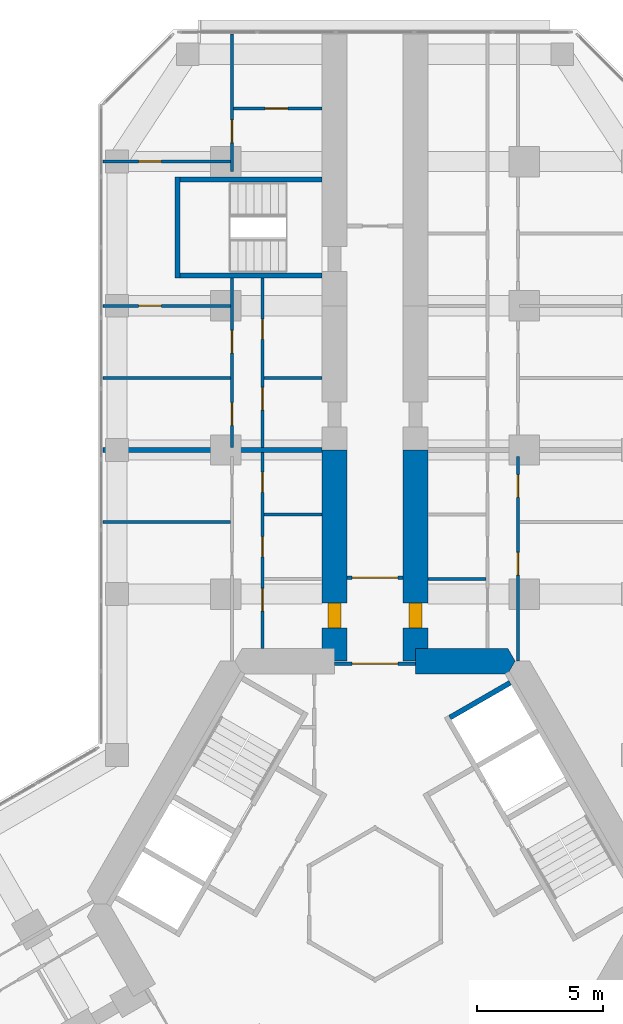
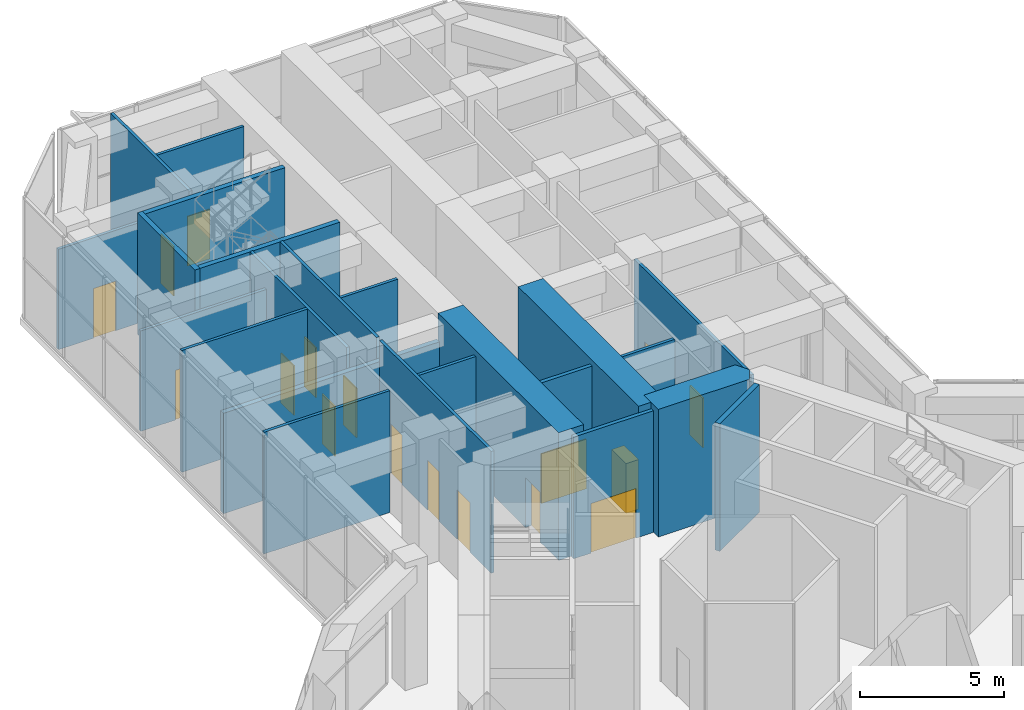
# One storey, part 19 of 23: 23 walls, 17 doors, 17 openings.
"""IFC4 building model written with IfcOpenShell, lengths in metres."""

from ifc_helpers import new_model, si_unit, direction, frame, frame_2d, origin, place, context, subcontext, project, spatial, polyline, rectangle, outline, extrude, material, layer, layer_set, type_object, element, fill, save


model = new_model("IFC4")

# Units and contexts
model_context = context("Model", 3, precision=1e-05, world=origin(), true_north=direction((0.0, 1.0)))
body_context = subcontext(model_context, "Body", "Model", "MODEL_VIEW")
ifc_project = project(units=[si_unit("LENGTHUNIT", "METRE"), si_unit("AREAUNIT", "SQUARE_METRE"), si_unit("VOLUMEUNIT", "CUBIC_METRE"), si_unit("PLANEANGLEUNIT", "RADIAN"), si_unit("MASSUNIT", "GRAM", prefix="KILO")], contexts=[model_context])

# Site, building, storey
site_placement = place(None, origin())
site = spatial("IfcSite", under=ifc_project, at=site_placement, CompositionType="ELEMENT")
building_placement = place(site_placement, origin())
building = spatial("IfcBuilding", under=site, at=building_placement, Name="Kosmar Iwan School Tower", CompositionType="ELEMENT")
storey_placement = place(building_placement, frame((0.0, 0.0, 75.39990234375)))
storey = spatial("IfcBuildingStorey", under=building, at=storey_placement, Name="L18", CompositionType="ELEMENT", Elevation=75.39990234375)

# Wall
ifc_material_1 = material(Name="Concrete C50/60", Category="concrete")
ifc_layer_1 = layer(ifc_material_1, 1.0)
ifc_layer_set_1 = layer_set([ifc_layer_1], Name="Core wall 1000")
wall_type_1 = type_object("IfcWallType", Name="Core wall 1000", PredefinedType="SHEAR", material=ifc_layer_set_1)
wall_1_placement = place(storey_placement, origin())
element("IfcWall", 1, at=wall_1_placement, inside=storey, type_object=wall_type_1, Name="Core wall F090a", PredefinedType="SHEAR", context=body_context, shape_type="SweptSolid", body=[
    extrude(outline(polyline([(1.60009765625, 9.10009765625), (5.25390625, 9.10009765625), (5.54248046875, 9.60009765625), (5.25390625, 10.10009765625), (1.60009765625, 10.10009765625), (1.60009765625, 9.10009765625)])), origin(), (0.0, 0.0, 1.0), 5.400146484375),
])

# Wall, opening, door
ifc_material_2 = material(Name="Concrete C50/60", Category="concrete")
ifc_layer_2 = layer(ifc_material_2, 1.0)
ifc_layer_set_2 = layer_set([ifc_layer_2], Name="Corridor buttress wall 1000")
wall_type_2 = type_object("IfcWallType", Name="Corridor buttress wall 1000", PredefinedType="SHEAR", material=ifc_layer_set_2)
wall_2_placement = place(storey_placement, frame((-1.60009765625, 9.60009765625, 0.0), z_axis=(0.0, 0.0, 1.0), x_axis=(0.0, 1.0, 0.0)))
wall_2 = element("IfcWall", 2, at=wall_2_placement, inside=storey, type_object=wall_type_2, Name="Corridor wall AL", PredefinedType="SHEAR", context=body_context, shape_type="SweptSolid", body=[
    extrude(rectangle(XDim=8.349853515625, YDim=1.0, at=frame_2d((4.1748046875, 0.0))), origin(), (0.0, 0.0, 1.0), 5.400146484375),
])
opening_1_placement = place(wall_2_placement, frame((1.300048828125, 0.0, 0.0)))
opening_1 = element("IfcOpeningElement", 3, at=opening_1_placement, cuts=wall_2, Name="Opening D1", PredefinedType="OPENING", context=body_context, shape_type="SweptSolid", body=[
    extrude(rectangle(XDim=1.0, YDim=2.10009765625, at=frame_2d((0.5, 1.050048828125))), frame((0.0, 0.511962890625, 0.0), z_axis=(0.0, -1.0, 0.0), x_axis=(1.0, 0.0, 0.0)), (0.0, 0.0, 1.0), 1.02392578125),
])
ifc_material_3 = material(Name="Timber fire door in steel frame", Category="steel")
door_type_1 = type_object("IfcDoorType", Name="Flat entrance door 1000x2100", OperationType="SINGLE_SWING_LEFT", PredefinedType="DOOR", material=ifc_material_3)
door_1_placement = place(opening_1_placement, origin())
door_1 = element("IfcDoor", 4, at=door_1_placement, inside=storey, type_object=door_type_1, Name="Flat L18-AL1 entrance door", OperationType="SINGLE_SWING_RIGHT", OverallHeight=2.10009765625, OverallWidth=1.0, PredefinedType="DOOR", context=body_context, shape_type="SweptSolid", body=[
    extrude(rectangle(XDim=1.0, YDim=2.10009765625, at=frame_2d((0.5, 1.050048828125))), frame((0.0, 0.25, 0.0), z_axis=(0.0, -1.0, 0.0), x_axis=(1.0, 0.0, 0.0)), (0.0, 0.0, 1.0), 0.5),
])
fill(opening_1, door_1)

wall_3_placement = place(storey_placement, frame((1.60009765625, 9.60009765625, 0.0), z_axis=(0.0, 0.0, 1.0), x_axis=(0.0, 1.0, 0.0)))
wall_3 = element("IfcWall", 5, at=wall_3_placement, inside=storey, type_object=wall_type_2, Name="Corridor wall AR", PredefinedType="SHEAR", context=body_context, shape_type="SweptSolid", body=[
    extrude(rectangle(XDim=8.349853515625, YDim=1.0, at=frame_2d((4.1748046875, 0.0))), origin(), (0.0, 0.0, 1.0), 5.400146484375),
])
opening_2_placement = place(wall_3_placement, frame((1.300048828125, 0.0, 0.0)))
opening_2 = element("IfcOpeningElement", 6, at=opening_2_placement, cuts=wall_3, Name="Opening D1", PredefinedType="OPENING", context=body_context, shape_type="SweptSolid", body=[
    extrude(rectangle(XDim=1.0, YDim=2.10009765625, at=frame_2d((0.5, 1.050048828125))), frame((0.0, 0.511962890625, 0.0), z_axis=(0.0, -1.0, 0.0), x_axis=(1.0, 0.0, 0.0)), (0.0, 0.0, 1.0), 1.02392578125),
])
door_2_placement = place(opening_2_placement, origin())
door_2 = element("IfcDoor", 7, at=door_2_placement, inside=storey, type_object=door_type_1, Name="Flat L18-AR1 entrance door", OperationType="SINGLE_SWING_RIGHT", OverallHeight=2.10009765625, OverallWidth=1.0, PredefinedType="DOOR", context=body_context, shape_type="SweptSolid", body=[
    extrude(rectangle(XDim=1.0, YDim=2.10009765625, at=frame_2d((0.5, 1.050048828125))), frame((0.0, 0.25, 0.0), z_axis=(0.0, -1.0, 0.0), x_axis=(1.0, 0.0, 0.0)), (0.0, 0.0, 1.0), 0.5),
])
fill(opening_2, door_2)

ifc_material_4 = material(Name="Gypsum board on steel studs, fire-rated", Category="steel")
ifc_layer_3 = layer(ifc_material_4, 0.14990234375)
ifc_layer_set_3 = layer_set([ifc_layer_3], Name="Corridor end wall 150")
wall_type_3 = type_object("IfcWallType", Name="Corridor end wall 150", PredefinedType="PARTITIONING", material=ifc_layer_set_3)
wall_4_placement = place(storey_placement, frame((1.10009765625, 12.89990234375, 0.0), z_axis=(0.0, 0.0, 1.0), x_axis=(-1.0, 0.0, 0.0)))
wall_4 = element("IfcWall", 8, at=wall_4_placement, inside=storey, type_object=wall_type_3, Name="Partition L18-A-HW", PredefinedType="PARTITIONING", context=body_context, shape_type="SweptSolid", body=[
    extrude(rectangle(XDim=2.2001953125, YDim=0.14990234375, at=frame_2d((1.10009765625, 0.0))), origin(), (0.0, 0.0, 1.0), 5.150146484375),
])
opening_3_placement = place(wall_4_placement, frame((0.199951171875, 0.0, 0.0)))
opening_3 = element("IfcOpeningElement", 9, at=opening_3_placement, cuts=wall_4, Name="Opening D9", PredefinedType="OPENING", context=body_context, shape_type="SweptSolid", body=[
    extrude(rectangle(XDim=1.800048828125, YDim=2.10009765625, at=frame_2d((0.89990234375, 1.050048828125))), frame((0.0, 0.0869140625, 0.0), z_axis=(0.0, -1.0, 0.0), x_axis=(1.0, 0.0, 0.0)), (0.0, 0.0, 1.0), 0.173828125),
])
ifc_material_5 = material(Name="Steel framed glazed smoke door", Category="steel")
door_type_2 = type_object("IfcDoorType", Name="Corridor smoke door pair 1800x2100", OperationType="DOUBLE_DOOR_DOUBLE_SWING", PredefinedType="DOOR", material=ifc_material_5)
door_3_placement = place(opening_3_placement, origin())
door_3 = element("IfcDoor", 10, at=door_3_placement, inside=storey, type_object=door_type_2, Name="Entrance vestibule smoke doors L18-A", OperationType="DOUBLE_DOOR_DOUBLE_SWING", OverallHeight=2.10009765625, OverallWidth=1.800048828125, PredefinedType="DOOR", context=body_context, shape_type="SweptSolid", body=[
    extrude(rectangle(XDim=1.800048828125, YDim=2.10009765625, at=frame_2d((0.89990234375, 1.050048828125))), frame((0.0, 0.02490234375, 0.0), z_axis=(0.0, -1.0, 0.0), x_axis=(1.0, 0.0, 0.0)), (0.0, 0.0, 1.0), 0.050048828125),
])
fill(opening_3, door_3)

ifc_material_6 = material(Name="Steel framed glazed screen", Category="steel")
ifc_layer_4 = layer(ifc_material_6, 0.14990234375)
ifc_layer_set_4 = layer_set([ifc_layer_4], Name="Corridor screen wall 150")
wall_type_4 = type_object("IfcWallType", Name="Corridor screen wall 150", PredefinedType="PARTITIONING", material=ifc_layer_set_4)
wall_5_placement = place(storey_placement, frame((1.60009765625, 9.5, 0.0), z_axis=(0.0, 0.0, 1.0), x_axis=(-1.0, 0.0, 0.0)))
wall_5 = element("IfcWall", 11, at=wall_5_placement, inside=storey, type_object=wall_type_4, Name="Corridor screen A L18", PredefinedType="PARTITIONING", context=body_context, shape_type="SweptSolid", body=[
    extrude(rectangle(XDim=3.2001953125, YDim=0.14990234375, at=frame_2d((1.60009765625, 0.0))), origin(), (0.0, 0.0, 1.0), 5.150146484375),
])
opening_4_placement = place(wall_5_placement, frame((0.699951171875, 0.0, 0.0)))
opening_4 = element("IfcOpeningElement", 12, at=opening_4_placement, cuts=wall_5, Name="Opening D9", PredefinedType="OPENING", context=body_context, shape_type="SweptSolid", body=[
    extrude(rectangle(XDim=1.800048828125, YDim=2.10009765625, at=frame_2d((0.89990234375, 1.050048828125))), frame((0.0, 0.0869140625, 0.0), z_axis=(0.0, -1.0, 0.0), x_axis=(1.0, 0.0, 0.0)), (0.0, 0.0, 1.0), 0.173828125),
])
door_4_placement = place(opening_4_placement, origin())
door_4 = element("IfcDoor", 13, at=door_4_placement, inside=storey, type_object=door_type_2, Name="Corridor doors A L18", OperationType="DOUBLE_DOOR_DOUBLE_SWING", OverallHeight=2.10009765625, OverallWidth=1.800048828125, PredefinedType="DOOR", context=body_context, shape_type="SweptSolid", body=[
    extrude(rectangle(XDim=1.800048828125, YDim=2.10009765625, at=frame_2d((0.89990234375, 1.050048828125))), frame((0.0, 0.02490234375, 0.0), z_axis=(0.0, -1.0, 0.0), x_axis=(1.0, 0.0, 0.0)), (0.0, 0.0, 1.0), 0.050048828125),
])
fill(opening_4, door_4)

# Wall, openings, doors
ifc_material_7 = material(Name="Gypsum board on steel studs", Category="steel")
ifc_layer_5 = layer(ifc_material_7, 0.1201171875)
ifc_layer_set_5 = layer_set([ifc_layer_5], Name="Dwelling partition 120")
wall_type_5 = type_object("IfcWallType", Name="Dwelling partition 120", PredefinedType="PARTITIONING", material=ifc_layer_set_5)
wall_6_placement = place(storey_placement, frame((-4.449951171875, 10.10009765625, 0.0), z_axis=(0.0, 0.0, 1.0), x_axis=(0.0, 1.0, 0.0)))
wall_6 = element("IfcWall", 14, at=wall_6_placement, inside=storey, type_object=wall_type_5, Name="Partition L18-AL1-W1", PredefinedType="PARTITIONING", context=body_context, shape_type="SweptSolid", body=[
    extrude(rectangle(XDim=7.75, YDim=0.1201171875, at=frame_2d((3.875, 0.0))), origin(), (0.0, 0.0, 1.0), 5.150146484375),
])
opening_5_placement = place(wall_6_placement, frame((1.47509765625, 0.0, 0.0)))
opening_5 = element("IfcOpeningElement", 15, at=opening_5_placement, cuts=wall_6, Name="Opening D2", PredefinedType="OPENING", context=body_context, shape_type="SweptSolid", body=[
    extrude(rectangle(XDim=0.89990234375, YDim=2.10009765625, at=frame_2d((0.449951171875, 1.050048828125))), frame((0.0, 0.072021484375, 0.0), z_axis=(0.0, -1.0, 0.0), x_axis=(1.0, 0.0, 0.0)), (0.0, 0.0, 1.0), 0.14404296875),
])
opening_6_placement = place(wall_6_placement, frame((3.625, 0.0, 0.0)))
opening_6 = element("IfcOpeningElement", 16, at=opening_6_placement, cuts=wall_6, Name="Opening D3", PredefinedType="OPENING", context=body_context, shape_type="SweptSolid", body=[
    extrude(rectangle(XDim=0.800048828125, YDim=2.10009765625, at=frame_2d((0.39990234375, 1.050048828125))), frame((0.0, 0.072021484375, 0.0), z_axis=(0.0, -1.0, 0.0), x_axis=(1.0, 0.0, 0.0)), (0.0, 0.0, 1.0), 0.14404296875),
])
opening_7_placement = place(wall_6_placement, frame((6.175048828125, 0.0, 0.0)))
opening_7 = element("IfcOpeningElement", 17, at=opening_7_placement, cuts=wall_6, Name="Opening D3", PredefinedType="OPENING", context=body_context, shape_type="SweptSolid", body=[
    extrude(rectangle(XDim=0.800048828125, YDim=2.10009765625, at=frame_2d((0.39990234375, 1.050048828125))), frame((0.0, 0.072021484375, 0.0), z_axis=(0.0, -1.0, 0.0), x_axis=(1.0, 0.0, 0.0)), (0.0, 0.0, 1.0), 0.14404296875),
])
ifc_material_8 = material(Name="Timber door in timber frame", Category="wood")
door_type_3 = type_object("IfcDoorType", Name="Internal door 900x2100", OperationType="SINGLE_SWING_LEFT", PredefinedType="DOOR", material=ifc_material_8)
door_5_placement = place(opening_5_placement, frame((0.89990234375, 0.0, 0.0), z_axis=(0.0, 0.0, 1.0), x_axis=(-1.0, 0.0, 0.0)))
door_5 = element("IfcDoor", 18, at=door_5_placement, inside=storey, type_object=door_type_3, Name="Entrance hall door L18-AL1-S1", OperationType="SINGLE_SWING_RIGHT", OverallHeight=2.10009765625, OverallWidth=0.89990234375, PredefinedType="DOOR", context=body_context, shape_type="SweptSolid", body=[
    extrude(rectangle(XDim=0.89990234375, YDim=2.10009765625, at=frame_2d((0.449951171875, 1.050048828125))), frame((0.0, 0.02490234375, 0.0), z_axis=(0.0, -1.0, 0.0), x_axis=(1.0, 0.0, 0.0)), (0.0, 0.0, 1.0), 0.050048828125),
])
fill(opening_5, door_5)
ifc_material_9 = material(Name="Timber door in timber frame", Category="wood")
door_type_4 = type_object("IfcDoorType", Name="Sanitary room door 800x2100", OperationType="SINGLE_SWING_LEFT", PredefinedType="DOOR", material=ifc_material_9)
door_6_placement = place(opening_6_placement, origin())
door_6 = element("IfcDoor", 19, at=door_6_placement, inside=storey, type_object=door_type_4, Name="Bathroom door L18-AL1-S2", OperationType="SINGLE_SWING_RIGHT", OverallHeight=2.10009765625, OverallWidth=0.800048828125, PredefinedType="DOOR", context=body_context, shape_type="SweptSolid", body=[
    extrude(rectangle(XDim=0.800048828125, YDim=2.10009765625, at=frame_2d((0.39990234375, 1.050048828125))), frame((0.0, 0.02490234375, 0.0), z_axis=(0.0, -1.0, 0.0), x_axis=(1.0, 0.0, 0.0)), (0.0, 0.0, 1.0), 0.050048828125),
])
fill(opening_6, door_6)
door_7_placement = place(opening_7_placement, origin())
door_7 = element("IfcDoor", 20, at=door_7_placement, inside=storey, type_object=door_type_4, Name="Store door L18-AL1-S3", OperationType="SINGLE_SWING_RIGHT", OverallHeight=2.10009765625, OverallWidth=0.800048828125, PredefinedType="DOOR", context=body_context, shape_type="SweptSolid", body=[
    extrude(rectangle(XDim=0.800048828125, YDim=2.10009765625, at=frame_2d((0.39990234375, 1.050048828125))), frame((0.0, 0.02490234375, 0.0), z_axis=(0.0, -1.0, 0.0), x_axis=(1.0, 0.0, 0.0)), (0.0, 0.0, 1.0), 0.050048828125),
])
fill(opening_7, door_7)

# Walls
wall_7_placement = place(storey_placement, frame((-5.7099609375, 15.10009765625, 0.0), z_axis=(0.0, 0.0, 1.0), x_axis=(-1.0, 0.0, 0.0)))
element("IfcWall", 21, at=wall_7_placement, inside=storey, type_object=wall_type_5, Name="Partition L18-AL1-X1", PredefinedType="PARTITIONING", context=body_context, shape_type="SweptSolid", body=[
    extrude(rectangle(XDim=5.03515625, YDim=0.1201171875, at=frame_2d((2.517578125, 0.0))), origin(), (0.0, 0.0, 1.0), 5.150146484375),
])
wall_8_placement = place(storey_placement, frame((-2.10009765625, 15.39990234375, 0.0), z_axis=(0.0, 0.0, 1.0), x_axis=(-1.0, 0.0, 0.0)))
element("IfcWall", 22, at=wall_8_placement, inside=storey, type_object=wall_type_5, Name="Partition L18-AL1-Y2", PredefinedType="PARTITIONING", context=body_context, shape_type="SweptSolid", body=[
    extrude(rectangle(XDim=2.289794921875, YDim=0.1201171875, at=frame_2d((1.14501953125, 0.0))), origin(), (0.0, 0.0, 1.0), 5.150146484375),
])

# Wall, openings, doors
wall_9_placement = place(storey_placement, frame((-4.449951171875, 18.050048828125, 0.0), z_axis=(0.0, 0.0, 1.0), x_axis=(0.0, 1.0, 0.0)))
wall_9 = element("IfcWall", 23, at=wall_9_placement, inside=storey, type_object=wall_type_5, Name="Partition L18-AL2-W1", PredefinedType="PARTITIONING", context=body_context, shape_type="SweptSolid", body=[
    extrude(rectangle(XDim=6.699951171875, YDim=0.1201171875, at=frame_2d((3.35009765625, 0.0))), origin(), (0.0, 0.0, 1.0), 5.150146484375),
])
opening_8_placement = place(wall_9_placement, frame((1.47509765625, 0.0, 0.0)))
opening_8 = element("IfcOpeningElement", 24, at=opening_8_placement, cuts=wall_9, Name="Opening D2", PredefinedType="OPENING", context=body_context, shape_type="SweptSolid", body=[
    extrude(rectangle(XDim=0.89990234375, YDim=2.10009765625, at=frame_2d((0.449951171875, 1.050048828125))), frame((0.0, 0.072021484375, 0.0), z_axis=(0.0, -1.0, 0.0), x_axis=(1.0, 0.0, 0.0)), (0.0, 0.0, 1.0), 0.14404296875),
])
opening_9_placement = place(wall_9_placement, frame((4.27490234375, 0.0, 0.0)))
opening_9 = element("IfcOpeningElement", 25, at=opening_9_placement, cuts=wall_9, Name="Opening D3", PredefinedType="OPENING", context=body_context, shape_type="SweptSolid", body=[
    extrude(rectangle(XDim=0.800048828125, YDim=2.10009765625, at=frame_2d((0.39990234375, 1.050048828125))), frame((0.0, 0.072021484375, 0.0), z_axis=(0.0, -1.0, 0.0), x_axis=(1.0, 0.0, 0.0)), (0.0, 0.0, 1.0), 0.14404296875),
])
door_8_placement = place(opening_8_placement, origin())
door_8 = element("IfcDoor", 26, at=door_8_placement, inside=storey, type_object=door_type_3, Name="Entrance hall door L18-AL2-S1", OperationType="SINGLE_SWING_LEFT", OverallHeight=2.10009765625, OverallWidth=0.89990234375, PredefinedType="DOOR", context=body_context, shape_type="SweptSolid", body=[
    extrude(rectangle(XDim=0.89990234375, YDim=2.10009765625, at=frame_2d((0.449951171875, 1.050048828125))), frame((0.0, 0.02490234375, 0.0), z_axis=(0.0, -1.0, 0.0), x_axis=(1.0, 0.0, 0.0)), (0.0, 0.0, 1.0), 0.050048828125),
])
fill(opening_8, door_8)
door_9_placement = place(opening_9_placement, origin())
door_9 = element("IfcDoor", 27, at=door_9_placement, inside=storey, type_object=door_type_4, Name="Bathroom door L18-AL2-S2", OperationType="SINGLE_SWING_RIGHT", OverallHeight=2.10009765625, OverallWidth=0.800048828125, PredefinedType="DOOR", context=body_context, shape_type="SweptSolid", body=[
    extrude(rectangle(XDim=0.800048828125, YDim=2.10009765625, at=frame_2d((0.39990234375, 1.050048828125))), frame((0.0, 0.02490234375, 0.0), z_axis=(0.0, -1.0, 0.0), x_axis=(1.0, 0.0, 0.0)), (0.0, 0.0, 1.0), 0.050048828125),
])
fill(opening_9, door_9)

wall_10_placement = place(storey_placement, frame((-5.64990234375, 18.050048828125, 0.0), z_axis=(0.0, 0.0, 1.0), x_axis=(0.0, 1.0, 0.0)))
wall_10 = element("IfcWall", 28, at=wall_10_placement, inside=storey, type_object=wall_type_5, Name="Partition L18-AL2-W2", PredefinedType="PARTITIONING", context=body_context, shape_type="SweptSolid", body=[
    extrude(rectangle(XDim=6.699951171875, YDim=0.1201171875, at=frame_2d((3.35009765625, 0.0))), origin(), (0.0, 0.0, 1.0), 5.150146484375),
])
opening_10_placement = place(wall_10_placement, frame((0.875, 0.0, 0.0)))
opening_10 = element("IfcOpeningElement", 29, at=opening_10_placement, cuts=wall_10, Name="Opening D2", PredefinedType="OPENING", context=body_context, shape_type="SweptSolid", body=[
    extrude(rectangle(XDim=0.89990234375, YDim=2.10009765625, at=frame_2d((0.449951171875, 1.050048828125))), frame((0.0, 0.072021484375, 0.0), z_axis=(0.0, -1.0, 0.0), x_axis=(1.0, 0.0, 0.0)), (0.0, 0.0, 1.0), 0.14404296875),
])
opening_11_placement = place(wall_10_placement, frame((3.72509765625, 0.0, 0.0)))
opening_11 = element("IfcOpeningElement", 30, at=opening_11_placement, cuts=wall_10, Name="Opening D2", PredefinedType="OPENING", context=body_context, shape_type="SweptSolid", body=[
    extrude(rectangle(XDim=0.89990234375, YDim=2.10009765625, at=frame_2d((0.449951171875, 1.050048828125))), frame((0.0, 0.072021484375, 0.0), z_axis=(0.0, -1.0, 0.0), x_axis=(1.0, 0.0, 0.0)), (0.0, 0.0, 1.0), 0.14404296875),
])
door_10_placement = place(opening_10_placement, origin())
door_10 = element("IfcDoor", 31, at=door_10_placement, inside=storey, type_object=door_type_3, Name="Bedroom 1 door L18-AL2-F1", OperationType="SINGLE_SWING_LEFT", OverallHeight=2.10009765625, OverallWidth=0.89990234375, PredefinedType="DOOR", context=body_context, shape_type="SweptSolid", body=[
    extrude(rectangle(XDim=0.89990234375, YDim=2.10009765625, at=frame_2d((0.449951171875, 1.050048828125))), frame((0.0, 0.02490234375, 0.0), z_axis=(0.0, -1.0, 0.0), x_axis=(1.0, 0.0, 0.0)), (0.0, 0.0, 1.0), 0.050048828125),
])
fill(opening_10, door_10)
door_11_placement = place(opening_11_placement, origin())
door_11 = element("IfcDoor", 32, at=door_11_placement, inside=storey, type_object=door_type_3, Name="Bedroom 2 door L18-AL2-F2", OperationType="SINGLE_SWING_RIGHT", OverallHeight=2.10009765625, OverallWidth=0.89990234375, PredefinedType="DOOR", context=body_context, shape_type="SweptSolid", body=[
    extrude(rectangle(XDim=0.89990234375, YDim=2.10009765625, at=frame_2d((0.449951171875, 1.050048828125))), frame((0.0, 0.02490234375, 0.0), z_axis=(0.0, -1.0, 0.0), x_axis=(1.0, 0.0, 0.0)), (0.0, 0.0, 1.0), 0.050048828125),
])
fill(opening_11, door_11)

# Walls
wall_11_placement = place(storey_placement, frame((-5.7099609375, 20.800048828125, 0.0), z_axis=(0.0, 0.0, 1.0), x_axis=(-1.0, 0.0, 0.0)))
element("IfcWall", 33, at=wall_11_placement, inside=storey, type_object=wall_type_5, Name="Partition L18-AL2-X1", PredefinedType="PARTITIONING", context=body_context, shape_type="SweptSolid", body=[
    extrude(rectangle(XDim=5.03515625, YDim=0.1201171875, at=frame_2d((2.517578125, 0.0))), origin(), (0.0, 0.0, 1.0), 5.150146484375),
])
wall_12_placement = place(storey_placement, frame((-2.10009765625, 20.800048828125, 0.0), z_axis=(0.0, 0.0, 1.0), x_axis=(-1.0, 0.0, 0.0)))
element("IfcWall", 34, at=wall_12_placement, inside=storey, type_object=wall_type_5, Name="Partition L18-AL2-Y1", PredefinedType="PARTITIONING", context=body_context, shape_type="SweptSolid", body=[
    extrude(rectangle(XDim=2.289794921875, YDim=0.1201171875, at=frame_2d((1.14501953125, 0.0))), origin(), (0.0, 0.0, 1.0), 5.150146484375),
])

# Wall, opening, door
wall_13_placement = place(storey_placement, frame((-5.7099609375, 23.64990234375, 0.0), z_axis=(0.0, 0.0, 1.0), x_axis=(-1.0, 0.0, 0.0)))
wall_13 = element("IfcWall", 35, at=wall_13_placement, inside=storey, type_object=wall_type_5, Name="Partition L18-AL2-TB", PredefinedType="PARTITIONING", context=body_context, shape_type="SweptSolid", body=[
    extrude(rectangle(XDim=5.03515625, YDim=0.1201171875, at=frame_2d((2.517578125, 0.0))), origin(), (0.0, 0.0, 1.0), 4.25),
])
opening_12_placement = place(wall_13_placement, frame((2.739990234375, 0.0, 0.0)))
opening_12 = element("IfcOpeningElement", 36, at=opening_12_placement, cuts=wall_13, Name="Opening D2", PredefinedType="OPENING", context=body_context, shape_type="SweptSolid", body=[
    extrude(rectangle(XDim=0.89990234375, YDim=2.10009765625, at=frame_2d((0.449951171875, 1.050048828125))), frame((0.0, 0.072021484375, 0.0), z_axis=(0.0, -1.0, 0.0), x_axis=(1.0, 0.0, 0.0)), (0.0, 0.0, 1.0), 0.14404296875),
])
door_12_placement = place(opening_12_placement, origin())
door_12 = element("IfcDoor", 37, at=door_12_placement, inside=storey, type_object=door_type_3, Name="Bedroom 2 door L18-AL2-F2", OperationType="SINGLE_SWING_RIGHT", OverallHeight=2.10009765625, OverallWidth=0.89990234375, PredefinedType="DOOR", context=body_context, shape_type="SweptSolid", body=[
    extrude(rectangle(XDim=0.89990234375, YDim=2.10009765625, at=frame_2d((0.449951171875, 1.050048828125))), frame((0.0, 0.02490234375, 0.0), z_axis=(0.0, -1.0, 0.0), x_axis=(1.0, 0.0, 0.0)), (0.0, 0.0, 1.0), 0.050048828125),
])
fill(opening_12, door_12)

wall_14_placement = place(storey_placement, frame((-5.7099609375, 29.35009765625, 0.0), z_axis=(0.0, 0.0, 1.0), x_axis=(-1.0, 0.0, 0.0)))
wall_14 = element("IfcWall", 38, at=wall_14_placement, inside=storey, type_object=wall_type_5, Name="Partition L18-AL2-TX", PredefinedType="PARTITIONING", context=body_context, shape_type="SweptSolid", body=[
    extrude(rectangle(XDim=5.03515625, YDim=0.1201171875, at=frame_2d((2.517578125, 0.0))), origin(), (0.0, 0.0, 1.0), 4.25),
])
opening_13_placement = place(wall_14_placement, frame((2.739990234375, 0.0, 0.0)))
opening_13 = element("IfcOpeningElement", 39, at=opening_13_placement, cuts=wall_14, Name="Opening D2", PredefinedType="OPENING", context=body_context, shape_type="SweptSolid", body=[
    extrude(rectangle(XDim=0.89990234375, YDim=2.10009765625, at=frame_2d((0.449951171875, 1.050048828125))), frame((0.0, 0.072021484375, 0.0), z_axis=(0.0, -1.0, 0.0), x_axis=(1.0, 0.0, 0.0)), (0.0, 0.0, 1.0), 0.14404296875),
])
door_13_placement = place(opening_13_placement, origin())
door_13 = element("IfcDoor", 40, at=door_13_placement, inside=storey, type_object=door_type_3, Name="Bedroom 2 door L18-AL2-T1", OperationType="SINGLE_SWING_RIGHT", OverallHeight=2.10009765625, OverallWidth=0.89990234375, PredefinedType="DOOR", context=body_context, shape_type="SweptSolid", body=[
    extrude(rectangle(XDim=0.89990234375, YDim=2.10009765625, at=frame_2d((0.449951171875, 1.050048828125))), frame((0.0, 0.02490234375, 0.0), z_axis=(0.0, -1.0, 0.0), x_axis=(1.0, 0.0, 0.0)), (0.0, 0.0, 1.0), 0.050048828125),
])
fill(opening_13, door_13)

wall_15_placement = place(storey_placement, frame((-5.64990234375, 28.949951171875, 0.0), z_axis=(0.0, 0.0, 1.0), x_axis=(0.0, 1.0, 0.0)))
wall_15 = element("IfcWall", 41, at=wall_15_placement, inside=storey, type_object=wall_type_5, Name="Partition L18-AL2-TW", PredefinedType="PARTITIONING", context=body_context, shape_type="SweptSolid", body=[
    extrude(rectangle(XDim=5.445068359375, YDim=0.1201171875, at=frame_2d((2.72265625, 0.0))), origin(), (0.0, 0.0, 1.0), 5.150146484375),
])
opening_14_placement = place(wall_15_placement, frame((1.14990234375, 0.0, 0.0)))
opening_14 = element("IfcOpeningElement", 42, at=opening_14_placement, cuts=wall_15, Name="Opening D2", PredefinedType="OPENING", context=body_context, shape_type="SweptSolid", body=[
    extrude(rectangle(XDim=0.89990234375, YDim=2.10009765625, at=frame_2d((0.449951171875, 1.050048828125))), frame((0.0, 0.072021484375, 0.0), z_axis=(0.0, -1.0, 0.0), x_axis=(1.0, 0.0, 0.0)), (0.0, 0.0, 1.0), 0.14404296875),
])
door_14_placement = place(opening_14_placement, origin())
door_14 = element("IfcDoor", 43, at=door_14_placement, inside=storey, type_object=door_type_3, Name="Shower room door L18-AL2-T3", OperationType="SINGLE_SWING_LEFT", OverallHeight=2.10009765625, OverallWidth=0.89990234375, PredefinedType="DOOR", context=body_context, shape_type="SweptSolid", body=[
    extrude(rectangle(XDim=0.89990234375, YDim=2.10009765625, at=frame_2d((0.449951171875, 1.050048828125))), frame((0.0, 0.02490234375, 0.0), z_axis=(0.0, -1.0, 0.0), x_axis=(1.0, 0.0, 0.0)), (0.0, 0.0, 1.0), 0.050048828125),
])
fill(opening_14, door_14)

wall_16_placement = place(storey_placement, frame((-2.10009765625, 31.449951171875, 0.0), z_axis=(0.0, 0.0, 1.0), x_axis=(-1.0, 0.0, 0.0)))
wall_16 = element("IfcWall", 44, at=wall_16_placement, inside=storey, type_object=wall_type_5, Name="Partition L18-AL2-TY", PredefinedType="PARTITIONING", context=body_context, shape_type="SweptSolid", body=[
    extrude(rectangle(XDim=3.489990234375, YDim=0.1201171875, at=frame_2d((1.7451171875, 0.0))), origin(), (0.0, 0.0, 1.0), 5.150146484375),
])
opening_15_placement = place(wall_16_placement, frame((1.344970703125, 0.0, 0.0)))
opening_15 = element("IfcOpeningElement", 45, at=opening_15_placement, cuts=wall_16, Name="Opening D2", PredefinedType="OPENING", context=body_context, shape_type="SweptSolid", body=[
    extrude(rectangle(XDim=0.89990234375, YDim=2.10009765625, at=frame_2d((0.449951171875, 1.050048828125))), frame((0.0, 0.072021484375, 0.0), z_axis=(0.0, -1.0, 0.0), x_axis=(1.0, 0.0, 0.0)), (0.0, 0.0, 1.0), 0.14404296875),
])
door_15_placement = place(opening_15_placement, origin())
door_15 = element("IfcDoor", 46, at=door_15_placement, inside=storey, type_object=door_type_3, Name="Bedroom 4 door L18-AL2-T4", OperationType="SINGLE_SWING_RIGHT", OverallHeight=2.10009765625, OverallWidth=0.89990234375, PredefinedType="DOOR", context=body_context, shape_type="SweptSolid", body=[
    extrude(rectangle(XDim=0.89990234375, YDim=2.10009765625, at=frame_2d((0.449951171875, 1.050048828125))), frame((0.0, 0.02490234375, 0.0), z_axis=(0.0, -1.0, 0.0), x_axis=(1.0, 0.0, 0.0)), (0.0, 0.0, 1.0), 0.050048828125),
])
fill(opening_15, door_15)

# Wall, openings, doors
wall_17_placement = place(storey_placement, frame((5.64990234375, 9.60009765625, 0.0), z_axis=(0.0, 0.0, 1.0), x_axis=(0.0, 1.0, 0.0)))
wall_17 = element("IfcWall", 47, at=wall_17_placement, inside=storey, type_object=wall_type_5, Name="Partition L18-AR1-W2", PredefinedType="PARTITIONING", context=body_context, shape_type="SweptSolid", body=[
    extrude(rectangle(XDim=8.099853515625, YDim=0.1201171875, at=frame_2d((4.0498046875, 0.0))), origin(), (0.0, 0.0, 1.0), 5.150146484375),
])
opening_16_placement = place(wall_17_placement, frame((3.39990234375, 0.0, 0.0)))
opening_16 = element("IfcOpeningElement", 48, at=opening_16_placement, cuts=wall_17, Name="Opening D2", PredefinedType="OPENING", context=body_context, shape_type="SweptSolid", body=[
    extrude(rectangle(XDim=0.89990234375, YDim=2.10009765625, at=frame_2d((0.449951171875, 1.050048828125))), frame((0.0, 0.072021484375, 0.0), z_axis=(0.0, -1.0, 0.0), x_axis=(1.0, 0.0, 0.0)), (0.0, 0.0, 1.0), 0.14404296875),
])
opening_17_placement = place(wall_17_placement, frame((6.47509765625, 0.0, 0.0)))
opening_17 = element("IfcOpeningElement", 49, at=opening_17_placement, cuts=wall_17, Name="Opening D2", PredefinedType="OPENING", context=body_context, shape_type="SweptSolid", body=[
    extrude(rectangle(XDim=0.89990234375, YDim=2.10009765625, at=frame_2d((0.449951171875, 1.050048828125))), frame((0.0, 0.072021484375, 0.0), z_axis=(0.0, -1.0, 0.0), x_axis=(1.0, 0.0, 0.0)), (0.0, 0.0, 1.0), 0.14404296875),
])
door_16_placement = place(opening_16_placement, origin())
door_16 = element("IfcDoor", 50, at=door_16_placement, inside=storey, type_object=door_type_3, Name="Living room and kitchen door L18-AR1-F1", OperationType="SINGLE_SWING_LEFT", OverallHeight=2.10009765625, OverallWidth=0.89990234375, PredefinedType="DOOR", context=body_context, shape_type="SweptSolid", body=[
    extrude(rectangle(XDim=0.89990234375, YDim=2.10009765625, at=frame_2d((0.449951171875, 1.050048828125))), frame((0.0, 0.02490234375, 0.0), z_axis=(0.0, -1.0, 0.0), x_axis=(1.0, 0.0, 0.0)), (0.0, 0.0, 1.0), 0.050048828125),
])
fill(opening_16, door_16)
door_17_placement = place(opening_17_placement, origin())
door_17 = element("IfcDoor", 51, at=door_17_placement, inside=storey, type_object=door_type_3, Name="Bedroom 1 door L18-AR1-F2", OperationType="SINGLE_SWING_RIGHT", OverallHeight=2.10009765625, OverallWidth=0.89990234375, PredefinedType="DOOR", context=body_context, shape_type="SweptSolid", body=[
    extrude(rectangle(XDim=0.89990234375, YDim=2.10009765625, at=frame_2d((0.449951171875, 1.050048828125))), frame((0.0, 0.02490234375, 0.0), z_axis=(0.0, -1.0, 0.0), x_axis=(1.0, 0.0, 0.0)), (0.0, 0.0, 1.0), 0.050048828125),
])
fill(opening_17, door_17)

# Walls
wall_18_placement = place(storey_placement, frame((2.10009765625, 12.85009765625, 0.0), z_axis=(0.0, 0.0, 1.0), x_axis=(1.0, 0.0, 0.0)))
element("IfcWall", 52, at=wall_18_placement, inside=storey, type_object=wall_type_5, Name="Partition L18-AR1-Y1", PredefinedType="PARTITIONING", context=body_context, shape_type="SweptSolid", body=[
    extrude(rectangle(XDim=2.289794921875, YDim=0.1201171875, at=frame_2d((1.14501953125, 0.0))), origin(), (0.0, 0.0, 1.0), 5.150146484375),
])
ifc_material_10 = material(Name="Concrete C35/45", Category="concrete")
ifc_layer_6 = layer(ifc_material_10, 0.199951171875)
ifc_layer_set_6 = layer_set([ifc_layer_6], Name="Escape stair wall 200")
wall_type_6 = type_object("IfcWallType", Name="Escape stair wall 200", PredefinedType="SHEAR", material=ifc_layer_set_6)
for number, where, z_axis, x_axis, name in (
    (53, (-2.10009765625, 24.85009765625, 0.0), (0.0, 0.0, 1.0), (-1.0, 0.0, 0.0), "Stair WS1 wall"),
    (54, (-2.10009765625, 28.64990234375, 0.0), (0.0, 0.0, 1.0), (-1.0, 0.0, 0.0), "Stair WS1 wall"),
):
    element("IfcWall", number, at=place(storey_placement, frame(where, z_axis=z_axis, x_axis=x_axis)), inside=storey, type_object=wall_type_6, Name=name, PredefinedType="SHEAR", context=body_context, shape_type="SweptSolid", body=[
        extrude(rectangle(XDim=5.7998046875, YDim=0.199951171875, at=frame_2d((2.89990234375, 0.0))), origin(), (0.0, 0.0, 1.0), 5.130126953125),
    ])
wall_19_placement = place(storey_placement, frame((-7.800048828125, 24.75, 0.0), z_axis=(0.0, 0.0, 1.0), x_axis=(0.0, 1.0, 0.0)))
element("IfcWall", 55, at=wall_19_placement, inside=storey, type_object=wall_type_6, Name="Stair WS1 wall", PredefinedType="SHEAR", context=body_context, shape_type="SweptSolid", body=[
    extrude(rectangle(XDim=4.0, YDim=0.199951171875, at=frame_2d((2.0, 0.0))), origin(), (0.0, 0.0, 1.0), 5.130126953125),
])
ifc_material_11 = material(Name="Concrete C50/60", Category="concrete")
ifc_layer_7 = layer(ifc_material_11, 0.199951171875)
ifc_layer_set_7 = layer_set([ifc_layer_7], Name="Lift shaft wall 200")
wall_type_7 = type_object("IfcWallType", Name="Lift shaft wall 200", PredefinedType="SHEAR", material=ifc_layer_set_7)
wall_20_placement = place(storey_placement, frame((2.962646484375, 7.368408203125, 0.0), z_axis=(0.0, 0.0, 1.0), x_axis=(0.866027397988, 0.499996545922, 0.0)))
element("IfcWall", 56, at=wall_20_placement, inside=storey, type_object=wall_type_7, Name="Lift shaft wall AC 2", PredefinedType="SHEAR", context=body_context, shape_type="SweptSolid", body=[
    extrude(rectangle(XDim=2.75, YDim=0.199951171875, at=frame_2d((1.375, 0.0))), origin(), (0.0, 0.0, 1.0), 5.400146484375),
])
ifc_material_12 = material(Name="Concrete block masonry", Category="masonry")
ifc_layer_8 = layer(ifc_material_12, 0.199951171875)
ifc_layer_set_8 = layer_set([ifc_layer_8], Name="Party wall 200")
wall_type_8 = type_object("IfcWallType", Name="Party wall 200", PredefinedType="PARTITIONING", material=ifc_layer_set_8)
wall_21_placement = place(storey_placement, frame((-2.10009765625, 17.949951171875, 0.0), z_axis=(0.0, 0.0, 1.0), x_axis=(-1.0, 0.0, 0.0)))
element("IfcWall", 57, at=wall_21_placement, inside=storey, type_object=wall_type_8, Name="Partition L18-AL2-PW", PredefinedType="PARTITIONING", context=body_context, shape_type="SweptSolid", body=[
    extrude(rectangle(XDim=8.64501953125, YDim=0.199951171875, at=frame_2d((4.322509765625, 0.0))), origin(), (0.0, 0.0, 1.0), 4.25),
])

save(model, "model.ifc")
